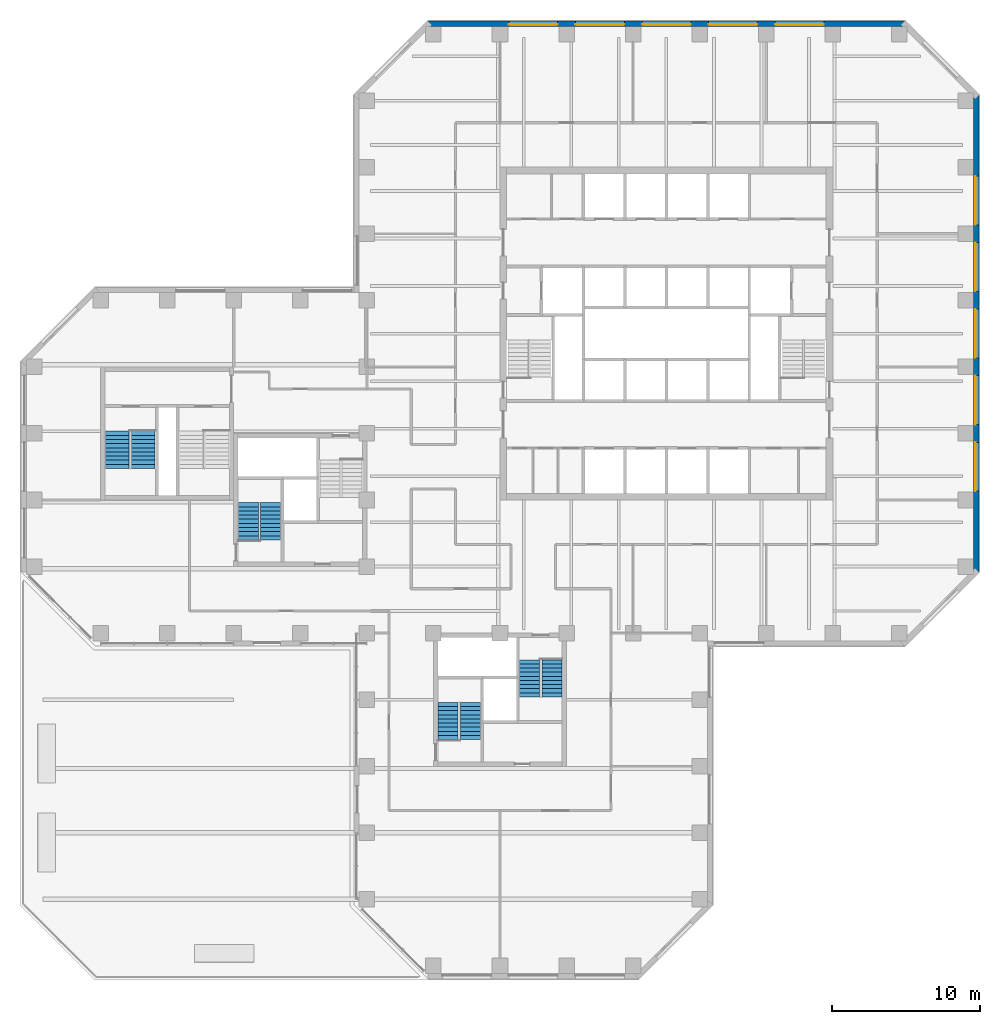
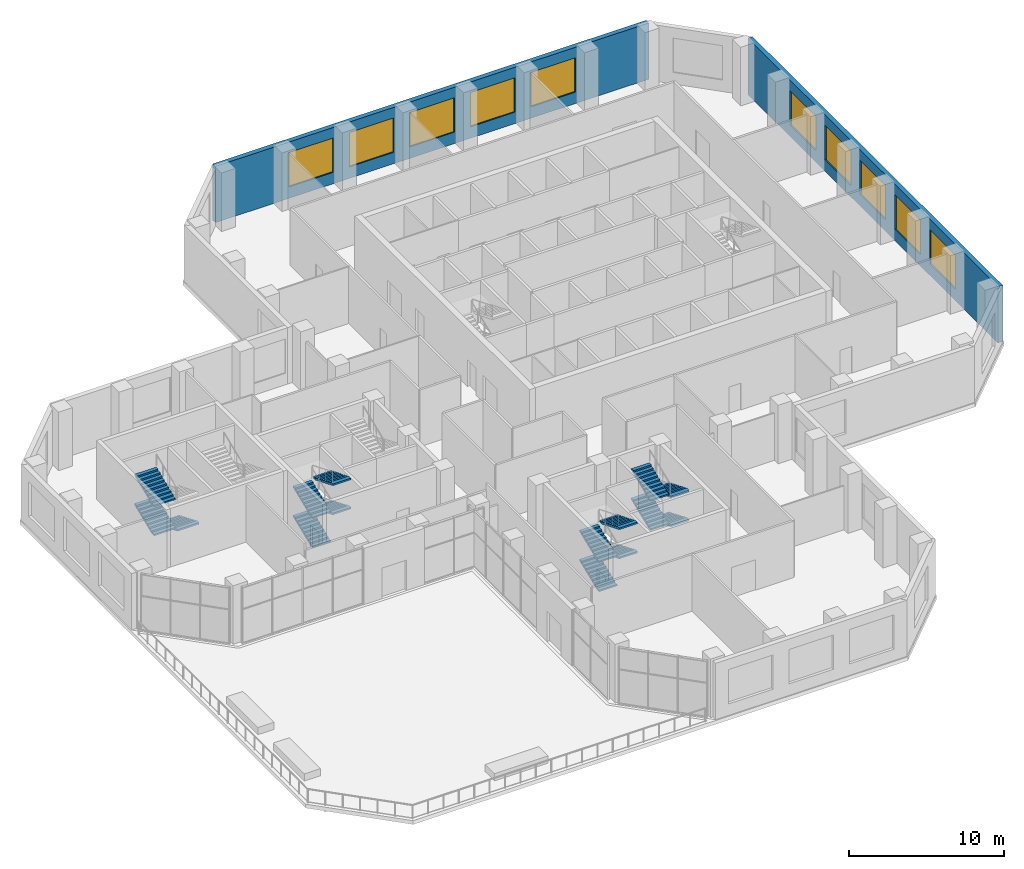
# One storey, part 11 of 14: 15 stair flights, 10 windows, 2 walls, 10 openings, 4 elements without a shape of their own.
"""IFC4 building model written with IfcOpenShell, lengths in metres."""

import ifcopenshell
import ifcopenshell.guid

model = None  # the IFC model being written
_history = None  # IfcOwnerHistory: only IFC2X3 demands one
_inside = {}  # id of a spatial element -> (the spatial element, [elements in it])
_under = {}  # id of a project, library or spatial element -> (it, [spatial elements below it])
_declared = {}  # id of a project -> (the project, [libraries it declares])
_typed = {}  # id of a type object -> (the type object, [elements of that type])
_made_of = {}  # id of a material, layer set ... -> (it, [elements and type objects made of it])


def new_model(schema):
    """Start an empty IFC model of exactly this schema.

    Asked for "IFC4X3", IfcOpenShell would pick the latest addendum, in which some entities
    have other attributes; the version numbers below select the first issue.
    IFC2X3 requires an IfcOwnerHistory on every rooted entity: one is made here for all.
    """
    global model, _history
    if schema == "IFC4X3":
        model = ifcopenshell.file(schema_version=(4, 3, 0, 0))
    else:
        model = ifcopenshell.file(schema=schema)
    _inside.clear()
    _under.clear()
    _declared.clear()
    _typed.clear()
    _made_of.clear()
    _history = None
    if model.schema == "IFC2X3":
        org = make("IfcOrganization", Name="unknown")
        user = make(
            "IfcPersonAndOrganization",
            ThePerson=make("IfcPerson", FamilyName="unknown"),
            TheOrganization=org,
        )
        app = make(
            "IfcApplication",
            ApplicationDeveloper=org,
            Version="unknown",
            ApplicationFullName="unknown",
            ApplicationIdentifier="unknown",
        )
        _history = make(
            "IfcOwnerHistory",
            OwningUser=user,
            OwningApplication=app,
            ChangeAction="ADDED",
            CreationDate=0,
        )
    return model


def make(cls, **values):
    """One entity of the class cls with the attributes given. An attribute that is None is left unset."""
    return model.create_entity(
        cls, **{name: value for name, value in values.items() if value is not None}
    )


def rooted(cls, **values):
    """An entity with a GlobalId (a new one), such as an element, a storey or a relation."""
    return make(cls, GlobalId=ifcopenshell.guid.new(), OwnerHistory=_history, **values)


def si_unit(unit_type, name, prefix=None):
    """IfcSIUnit, for example si_unit("LENGTHUNIT", "METRE", prefix="MILLI")."""
    return make("IfcSIUnit", UnitType=unit_type, Prefix=prefix, Name=name)


def assignment(units):
    """IfcUnitAssignment: the units of a project."""
    return None if units is None else make("IfcUnitAssignment", Units=units)


def point(xyz):
    """IfcCartesianPoint."""
    return None if xyz is None else make("IfcCartesianPoint", Coordinates=xyz)


def direction(xyz):
    """IfcDirection."""
    return None if xyz is None else make("IfcDirection", DirectionRatios=xyz)


def frame(location, z_axis=None, x_axis=None):
    """IfcAxis2Placement3D, a coordinate frame: its origin and axes. An axis left out is left unset."""
    return make(
        "IfcAxis2Placement3D",
        Location=point(location),
        Axis=direction(z_axis),
        RefDirection=direction(x_axis),
    )


def frame_2d(location, x_axis=None):
    """IfcAxis2Placement2D, a coordinate frame in the plane: its origin and x axis."""
    return make(
        "IfcAxis2Placement2D", Location=point(location), RefDirection=direction(x_axis)
    )


def origin():
    """The frame at (0, 0, 0) with its axes left unset."""
    return frame((0.0, 0.0, 0.0))


def place(relative_to, where):
    """IfcLocalPlacement: puts the frame where relative to a parent placement (None: the world)."""
    return make(
        "IfcLocalPlacement", PlacementRelTo=relative_to, RelativePlacement=where
    )


def context(
    kind, dimensions, precision=None, world=None, true_north=None, identifier=None
):
    """IfcGeometricRepresentationContext, for example the 3D "Model" context."""
    return make(
        "IfcGeometricRepresentationContext",
        ContextIdentifier=identifier,
        ContextType=kind,
        CoordinateSpaceDimension=dimensions,
        Precision=precision,
        WorldCoordinateSystem=world,
        TrueNorth=true_north,
    )


def subcontext(parent, identifier, kind, view, scale=None):
    """IfcGeometricRepresentationSubContext, for example "Body" below "Model"."""
    return make(
        "IfcGeometricRepresentationSubContext",
        ContextIdentifier=identifier,
        ContextType=kind,
        ParentContext=parent,
        TargetScale=scale,
        TargetView=view,
    )


def project(units=None, contexts=None):
    """IfcProject with its units and contexts."""
    return rooted(
        "IfcProject",
        Name="project",
        RepresentationContexts=contexts,
        UnitsInContext=assignment(units),
    )


def spatial(cls, under=None, at=None, **own):
    """A site, building, storey or space (cls), placed at a placement, below another one or the project."""
    s = rooted(cls, ObjectPlacement=at, **own)
    if under is not None:
        _under.setdefault(under.id(), (under, []))[1].append(s)
    return s


def polyline(points):
    """IfcPolyline through the points."""
    return make("IfcPolyline", Points=[point(p) for p in points])


def profile(cls, at=None, kind="AREA", **sizes):
    """A parametric profile (cls). Its sizes go by their IFC names, for example OverallWidth=200.0."""
    return make(cls, ProfileType=kind, Position=at, **sizes)


def rectangle(**sizes):
    """IfcRectangleProfileDef."""
    return profile("IfcRectangleProfileDef", **sizes)


def outline(outer, holes=None, kind="AREA"):
    """IfcArbitraryClosedProfileDef: a profile drawn as a closed curve; with holes, ...WithVoids."""
    if holes is None:
        return make("IfcArbitraryClosedProfileDef", ProfileType=kind, OuterCurve=outer)
    return make(
        "IfcArbitraryProfileDefWithVoids",
        ProfileType=kind,
        OuterCurve=outer,
        InnerCurves=holes,
    )


def extrude(swept, where, along, depth):
    """IfcExtrudedAreaSolid: the profile swept, set in the frame where, extruded along a direction by depth."""
    return make(
        "IfcExtrudedAreaSolid",
        SweptArea=swept,
        Position=where,
        ExtrudedDirection=direction(along),
        Depth=depth,
    )


def shape(context_of_items, identifier, shape_type, items):
    """IfcShapeRepresentation: the items that make up one representation, for example the "Body"."""
    return make(
        "IfcShapeRepresentation",
        ContextOfItems=context_of_items,
        RepresentationIdentifier=identifier,
        RepresentationType=shape_type,
        Items=items,
    )


def material(Name=None, Category=None):
    """IfcMaterial."""
    return make("IfcMaterial", Name=Name, Category=Category)


def layer(
    of_material, thickness, ventilated=None, Name=None, Category=None, Priority=None
):
    """IfcMaterialLayer: one layer of a wall or slab, of a material (None: an air gap)."""
    return make(
        "IfcMaterialLayer",
        Material=of_material,
        LayerThickness=thickness,
        IsVentilated=ventilated,
        Name=Name,
        Category=Category,
        Priority=Priority,
    )


def layer_set(layers, Name=None):
    """IfcMaterialLayerSet."""
    return make("IfcMaterialLayerSet", MaterialLayers=layers, LayerSetName=Name)


def constituent(of_material, Name=None, Category=None, fraction=None):
    """IfcMaterialConstituent: one of the materials an element consists of."""
    return make(
        "IfcMaterialConstituent",
        Name=Name,
        Material=of_material,
        Fraction=fraction,
        Category=Category,
    )


def constituent_set(constituents=None, Name=None):
    """IfcMaterialConstituentSet."""
    return make(
        "IfcMaterialConstituentSet", Name=Name, MaterialConstituents=constituents
    )


def made_of(thing, what):
    """Note that an element or type object is made of a material, layer set ...; save() writes the relation."""
    if what is not None:
        _made_of.setdefault(what.id(), (what, []))[1].append(thing)
    return thing


def type_object(cls, material=None, **own):
    """A type object (cls), such as IfcWallType, which elements share."""
    return made_of(rooted(cls, **own), material)


def element(
    cls,
    number,
    at=None,
    inside=None,
    cuts=None,
    type_object=None,
    material=None,
    context=None,
    identifier="Body",
    shape_type=None,
    held_by="IfcProductDefinitionShape",
    body=None,
    shapes=None,
    **own,
):
    """One element of the class cls, such as IfcWall. Its Tag is "e" and its number.

    at: its placement. inside: the storey or other place that contains it. cuts: it is an
    opening in that element (IfcRelVoidsElement). A single representation is given by context,
    identifier, shape_type and body (its items); several are given by shapes. held_by: the class
    of the entity that holds the representations. save() writes the other relations.
    """
    e = rooted(cls, Tag="e%d" % number, ObjectPlacement=at, **own)
    if body is not None:
        shapes = [shape(context, identifier, shape_type, body)]
    if shapes is not None:
        e.Representation = make(held_by, Representations=shapes)
    if inside is not None:
        _inside.setdefault(inside.id(), (inside, []))[1].append(e)
    if cuts is not None:
        rooted(
            "IfcRelVoidsElement", RelatingBuildingElement=cuts, RelatedOpeningElement=e
        )
    if type_object is not None:
        _typed.setdefault(type_object.id(), (type_object, []))[1].append(e)
    return made_of(e, material)


def fill(opening, filler):
    """IfcRelFillsElement: the door or window that sits in an opening."""
    return rooted(
        "IfcRelFillsElement",
        RelatingOpeningElement=opening,
        RelatedBuildingElement=filler,
    )


def aggregate(whole, parts):
    """IfcRelAggregates: a whole, such as a stair, and the parts it consists of."""
    return rooted("IfcRelAggregates", RelatingObject=whole, RelatedObjects=parts)


def save(model, path):
    """Write the relations noted so far, then the file.

    IfcRelAggregates (storeys below a building ...), IfcRelContainedInSpatialStructure (elements
    in a storey), IfcRelDefinesByType, IfcRelAssociatesMaterial and IfcRelDeclares: one each for
    every whole, place, type object, material and project.
    """
    for whole, parts in _under.values():
        aggregate(whole, parts)
    for where, things in _inside.values():
        rooted(
            "IfcRelContainedInSpatialStructure",
            RelatedElements=things,
            RelatingStructure=where,
        )
    for kind, things in _typed.values():
        rooted("IfcRelDefinesByType", RelatedObjects=things, RelatingType=kind)
    for what, things in _made_of.values():
        rooted("IfcRelAssociatesMaterial", RelatedObjects=things, RelatingMaterial=what)
    for by, libraries in _declared.values():
        rooted("IfcRelDeclares", RelatingContext=by, RelatedDefinitions=libraries)
    model.write(path)


model = new_model("IFC4")

# Units and contexts
model_context = context("Model", 3, precision=1e-05, world=origin(), true_north=direction((0.0, 1.0)))
body_context = subcontext(model_context, "Body", "Model", "MODEL_VIEW")
ifc_project = project(units=[si_unit("LENGTHUNIT", "METRE"), si_unit("AREAUNIT", "SQUARE_METRE"), si_unit("VOLUMEUNIT", "CUBIC_METRE"), si_unit("PLANEANGLEUNIT", "RADIAN"), si_unit("MASSUNIT", "GRAM", prefix="KILO")], contexts=[model_context])

# Site, building, storey
site_placement = place(None, origin())
site = spatial("IfcSite", under=ifc_project, at=site_placement, CompositionType="ELEMENT")
building_placement = place(site_placement, origin())
building = spatial("IfcBuilding", under=site, at=building_placement, Name="Quoin Convention Tower", CompositionType="ELEMENT")
storey_placement = place(building_placement, frame((0.0, 0.0, 74.300048828125)))
storey = spatial("IfcBuildingStorey", under=building, at=storey_placement, Name="L19", CompositionType="ELEMENT", Elevation=74.300048828125)

# Wall, openings, windows
ifc_material_1 = material(Name="Brick masonry", Category="masonry")
ifc_layer = layer(ifc_material_1, 0.35009765625)
ifc_layer_set = layer_set([ifc_layer], Name="Brick masonry")
wall_type = type_object("IfcWallType", Name="Brick facade wall", PredefinedType="STANDARD", material=ifc_layer_set)
wall_1_placement = place(storey_placement, frame((77.199951171875, 44.6376953125, 0.0), z_axis=(0.0, 0.0, 1.0), x_axis=(0.0, 1.0, 0.0)))
wall_1 = element("IfcWall", 1, at=wall_1_placement, inside=storey, type_object=wall_type, Name="fw-L19-76500_45000", PredefinedType="STANDARD", context=body_context, shape_type="SweptSolid", body=[
    extrude(rectangle(XDim=32.224609375, YDim=0.35009765625, at=frame_2d((16.1123046875, 0.0))), origin(), (0.0, 0.0, 1.0), 4.425048828125),
])
opening_1_placement = place(wall_1_placement, frame((5.46240234375, 0.0, 0.89990234375)))
opening_1 = element("IfcOpeningElement", 2, at=opening_1_placement, cuts=wall_1, Name="Opening W-03", PredefinedType="OPENING", context=body_context, shape_type="SweptSolid", body=[
    extrude(rectangle(XDim=3.300048828125, YDim=2.699951171875, at=frame_2d((1.64990234375, 1.35009765625))), frame((0.0, 0.18505859375, 0.0), z_axis=(0.0, -1.0, 0.0), x_axis=(1.0, 0.0, 0.0)), (0.0, 0.0, 1.0), 0.3701171875),
])
opening_2_placement = place(wall_1_placement, frame((9.96240234375, 0.0, 0.89990234375)))
opening_2 = element("IfcOpeningElement", 3, at=opening_2_placement, cuts=wall_1, Name="Opening W-03", PredefinedType="OPENING", context=body_context, shape_type="SweptSolid", body=[
    extrude(rectangle(XDim=3.300048828125, YDim=2.699951171875, at=frame_2d((1.64990234375, 1.35009765625))), frame((0.0, 0.18505859375, 0.0), z_axis=(0.0, -1.0, 0.0), x_axis=(1.0, 0.0, 0.0)), (0.0, 0.0, 1.0), 0.3701171875),
])
opening_3_placement = place(wall_1_placement, frame((14.46240234375, 0.0, 0.89990234375)))
opening_3 = element("IfcOpeningElement", 4, at=opening_3_placement, cuts=wall_1, Name="Opening W-03", PredefinedType="OPENING", context=body_context, shape_type="SweptSolid", body=[
    extrude(rectangle(XDim=3.300048828125, YDim=2.699951171875, at=frame_2d((1.64990234375, 1.35009765625))), frame((0.0, 0.18505859375, 0.0), z_axis=(0.0, -1.0, 0.0), x_axis=(1.0, 0.0, 0.0)), (0.0, 0.0, 1.0), 0.3701171875),
])
opening_4_placement = place(wall_1_placement, frame((18.96240234375, 0.0, 0.89990234375)))
opening_4 = element("IfcOpeningElement", 5, at=opening_4_placement, cuts=wall_1, Name="Opening W-03", PredefinedType="OPENING", context=body_context, shape_type="SweptSolid", body=[
    extrude(rectangle(XDim=3.300048828125, YDim=2.699951171875, at=frame_2d((1.64990234375, 1.35009765625))), frame((0.0, 0.18505859375, 0.0), z_axis=(0.0, -1.0, 0.0), x_axis=(1.0, 0.0, 0.0)), (0.0, 0.0, 1.0), 0.3701171875),
])
opening_5_placement = place(wall_1_placement, frame((23.46240234375, 0.0, 0.89990234375)))
opening_5 = element("IfcOpeningElement", 6, at=opening_5_placement, cuts=wall_1, Name="Opening W-03", PredefinedType="OPENING", context=body_context, shape_type="SweptSolid", body=[
    extrude(rectangle(XDim=3.300048828125, YDim=2.699951171875, at=frame_2d((1.64990234375, 1.35009765625))), frame((0.0, 0.18505859375, 0.0), z_axis=(0.0, -1.0, 0.0), x_axis=(1.0, 0.0, 0.0)), (0.0, 0.0, 1.0), 0.3701171875),
])
ifc_material_2 = material(Name="Aluminium", Category="aluminium")
ifc_constituent_1 = constituent(ifc_material_2, Name="Frame")
ifc_material_3 = material(Name="Insulated glass", Category="glass")
ifc_constituent_2 = constituent(ifc_material_3, Name="Glazing")
ifc_constituent_set = constituent_set(constituents=[ifc_constituent_1, ifc_constituent_2], Name="Aluminium")
window_type = type_object("IfcWindowType", Name="Sky lobby window", PartitioningType="DOUBLE_PANEL_VERTICAL", PredefinedType="WINDOW", material=ifc_constituent_set)
window_1_placement = place(opening_1_placement, origin())
window_1 = element("IfcWindow", 7, at=window_1_placement, inside=storey, type_object=window_type, Name="win-L19-77200_51750", OverallHeight=2.699951171875, OverallWidth=3.300048828125, PartitioningType="SINGLE_PANEL", PredefinedType="WINDOW", context=body_context, shape_type="SweptSolid", body=[
    extrude(rectangle(XDim=3.300048828125, YDim=2.699951171875, at=frame_2d((1.64990234375, 1.35009765625))), frame((0.0, 0.0849609375, 0.0), z_axis=(0.0, -1.0, 0.0), x_axis=(1.0, 0.0, 0.0)), (0.0, 0.0, 1.0), 0.06005859375),
])
fill(opening_1, window_1)
window_2_placement = place(opening_2_placement, origin())
window_2 = element("IfcWindow", 8, at=window_2_placement, inside=storey, type_object=window_type, Name="win-L19-77200_56250", OverallHeight=2.699951171875, OverallWidth=3.300048828125, PartitioningType="SINGLE_PANEL", PredefinedType="WINDOW", context=body_context, shape_type="SweptSolid", body=[
    extrude(rectangle(XDim=3.300048828125, YDim=2.699951171875, at=frame_2d((1.64990234375, 1.35009765625))), frame((0.0, 0.0849609375, 0.0), z_axis=(0.0, -1.0, 0.0), x_axis=(1.0, 0.0, 0.0)), (0.0, 0.0, 1.0), 0.06005859375),
])
fill(opening_2, window_2)
window_3_placement = place(opening_3_placement, origin())
window_3 = element("IfcWindow", 9, at=window_3_placement, inside=storey, type_object=window_type, Name="win-L19-77200_60750", OverallHeight=2.699951171875, OverallWidth=3.300048828125, PartitioningType="SINGLE_PANEL", PredefinedType="WINDOW", context=body_context, shape_type="SweptSolid", body=[
    extrude(rectangle(XDim=3.300048828125, YDim=2.699951171875, at=frame_2d((1.64990234375, 1.35009765625))), frame((0.0, 0.0849609375, 0.0), z_axis=(0.0, -1.0, 0.0), x_axis=(1.0, 0.0, 0.0)), (0.0, 0.0, 1.0), 0.06005859375),
])
fill(opening_3, window_3)
window_4_placement = place(opening_4_placement, origin())
window_4 = element("IfcWindow", 10, at=window_4_placement, inside=storey, type_object=window_type, Name="win-L19-77200_65250", OverallHeight=2.699951171875, OverallWidth=3.300048828125, PartitioningType="SINGLE_PANEL", PredefinedType="WINDOW", context=body_context, shape_type="SweptSolid", body=[
    extrude(rectangle(XDim=3.300048828125, YDim=2.699951171875, at=frame_2d((1.64990234375, 1.35009765625))), frame((0.0, 0.0849609375, 0.0), z_axis=(0.0, -1.0, 0.0), x_axis=(1.0, 0.0, 0.0)), (0.0, 0.0, 1.0), 0.06005859375),
])
fill(opening_4, window_4)
window_5_placement = place(opening_5_placement, origin())
window_5 = element("IfcWindow", 11, at=window_5_placement, inside=storey, type_object=window_type, Name="win-L19-77200_69750", OverallHeight=2.699951171875, OverallWidth=3.300048828125, PartitioningType="SINGLE_PANEL", PredefinedType="WINDOW", context=body_context, shape_type="SweptSolid", body=[
    extrude(rectangle(XDim=3.300048828125, YDim=2.699951171875, at=frame_2d((1.64990234375, 1.35009765625))), frame((0.0, 0.0849609375, 0.0), z_axis=(0.0, -1.0, 0.0), x_axis=(1.0, 0.0, 0.0)), (0.0, 0.0, 1.0), 0.06005859375),
])
fill(opening_5, window_5)

wall_2_placement = place(storey_placement, frame((72.3623046875, 81.699951171875, 0.0), z_axis=(0.0, 0.0, 1.0), x_axis=(-1.0, 0.0, 0.0)))
wall_2 = element("IfcWall", 12, at=wall_2_placement, inside=storey, type_object=wall_type, Name="fw-L19-72000_81000", PredefinedType="STANDARD", context=body_context, shape_type="SweptSolid", body=[
    extrude(rectangle(XDim=32.224609375, YDim=0.35009765625, at=frame_2d((16.1123046875, 0.0))), origin(), (0.0, 0.0, 1.0), 4.425048828125),
])
opening_6_placement = place(wall_2_placement, frame((5.46240234375, 0.0, 0.89990234375)))
opening_6 = element("IfcOpeningElement", 13, at=opening_6_placement, cuts=wall_2, Name="Opening W-03", PredefinedType="OPENING", context=body_context, shape_type="SweptSolid", body=[
    extrude(rectangle(XDim=3.300048828125, YDim=2.699951171875, at=frame_2d((1.64990234375, 1.35009765625))), frame((0.0, 0.18505859375, 0.0), z_axis=(0.0, -1.0, 0.0), x_axis=(1.0, 0.0, 0.0)), (0.0, 0.0, 1.0), 0.3701171875),
])
opening_7_placement = place(wall_2_placement, frame((9.96240234375, 0.0, 0.89990234375)))
opening_7 = element("IfcOpeningElement", 14, at=opening_7_placement, cuts=wall_2, Name="Opening W-03", PredefinedType="OPENING", context=body_context, shape_type="SweptSolid", body=[
    extrude(rectangle(XDim=3.300048828125, YDim=2.699951171875, at=frame_2d((1.64990234375, 1.35009765625))), frame((0.0, 0.18505859375, 0.0), z_axis=(0.0, -1.0, 0.0), x_axis=(1.0, 0.0, 0.0)), (0.0, 0.0, 1.0), 0.3701171875),
])
opening_8_placement = place(wall_2_placement, frame((14.46240234375, 0.0, 0.89990234375)))
opening_8 = element("IfcOpeningElement", 15, at=opening_8_placement, cuts=wall_2, Name="Opening W-03", PredefinedType="OPENING", context=body_context, shape_type="SweptSolid", body=[
    extrude(rectangle(XDim=3.300048828125, YDim=2.699951171875, at=frame_2d((1.64990234375, 1.35009765625))), frame((0.0, 0.18505859375, 0.0), z_axis=(0.0, -1.0, 0.0), x_axis=(1.0, 0.0, 0.0)), (0.0, 0.0, 1.0), 0.3701171875),
])
opening_9_placement = place(wall_2_placement, frame((18.96240234375, 0.0, 0.89990234375)))
opening_9 = element("IfcOpeningElement", 16, at=opening_9_placement, cuts=wall_2, Name="Opening W-03", PredefinedType="OPENING", context=body_context, shape_type="SweptSolid", body=[
    extrude(rectangle(XDim=3.300048828125, YDim=2.699951171875, at=frame_2d((1.64990234375, 1.35009765625))), frame((0.0, 0.18505859375, 0.0), z_axis=(0.0, -1.0, 0.0), x_axis=(1.0, 0.0, 0.0)), (0.0, 0.0, 1.0), 0.3701171875),
])
opening_10_placement = place(wall_2_placement, frame((23.46240234375, 0.0, 0.89990234375)))
opening_10 = element("IfcOpeningElement", 17, at=opening_10_placement, cuts=wall_2, Name="Opening W-03", PredefinedType="OPENING", context=body_context, shape_type="SweptSolid", body=[
    extrude(rectangle(XDim=3.300048828125, YDim=2.699951171875, at=frame_2d((1.64990234375, 1.35009765625))), frame((0.0, 0.18505859375, 0.0), z_axis=(0.0, -1.0, 0.0), x_axis=(1.0, 0.0, 0.0)), (0.0, 0.0, 1.0), 0.3701171875),
])
window_6_placement = place(opening_6_placement, origin())
window_6 = element("IfcWindow", 18, at=window_6_placement, inside=storey, type_object=window_type, Name="win-L19-65250_81700", OverallHeight=2.699951171875, OverallWidth=3.300048828125, PartitioningType="SINGLE_PANEL", PredefinedType="WINDOW", context=body_context, shape_type="SweptSolid", body=[
    extrude(rectangle(XDim=3.300048828125, YDim=2.699951171875, at=frame_2d((1.64990234375, 1.35009765625))), frame((0.0, 0.0849609375, 0.0), z_axis=(0.0, -1.0, 0.0), x_axis=(1.0, 0.0, 0.0)), (0.0, 0.0, 1.0), 0.06005859375),
])
fill(opening_6, window_6)
window_7_placement = place(opening_7_placement, origin())
window_7 = element("IfcWindow", 19, at=window_7_placement, inside=storey, type_object=window_type, Name="win-L19-60750_81700", OverallHeight=2.699951171875, OverallWidth=3.300048828125, PartitioningType="SINGLE_PANEL", PredefinedType="WINDOW", context=body_context, shape_type="SweptSolid", body=[
    extrude(rectangle(XDim=3.300048828125, YDim=2.699951171875, at=frame_2d((1.64990234375, 1.35009765625))), frame((0.0, 0.0849609375, 0.0), z_axis=(0.0, -1.0, 0.0), x_axis=(1.0, 0.0, 0.0)), (0.0, 0.0, 1.0), 0.06005859375),
])
fill(opening_7, window_7)
window_8_placement = place(opening_8_placement, origin())
window_8 = element("IfcWindow", 20, at=window_8_placement, inside=storey, type_object=window_type, Name="win-L19-56250_81700", OverallHeight=2.699951171875, OverallWidth=3.300048828125, PartitioningType="SINGLE_PANEL", PredefinedType="WINDOW", context=body_context, shape_type="SweptSolid", body=[
    extrude(rectangle(XDim=3.300048828125, YDim=2.699951171875, at=frame_2d((1.64990234375, 1.35009765625))), frame((0.0, 0.0849609375, 0.0), z_axis=(0.0, -1.0, 0.0), x_axis=(1.0, 0.0, 0.0)), (0.0, 0.0, 1.0), 0.06005859375),
])
fill(opening_8, window_8)
window_9_placement = place(opening_9_placement, origin())
window_9 = element("IfcWindow", 21, at=window_9_placement, inside=storey, type_object=window_type, Name="win-L19-51750_81700", OverallHeight=2.699951171875, OverallWidth=3.300048828125, PartitioningType="SINGLE_PANEL", PredefinedType="WINDOW", context=body_context, shape_type="SweptSolid", body=[
    extrude(rectangle(XDim=3.300048828125, YDim=2.699951171875, at=frame_2d((1.64990234375, 1.35009765625))), frame((0.0, 0.0849609375, 0.0), z_axis=(0.0, -1.0, 0.0), x_axis=(1.0, 0.0, 0.0)), (0.0, 0.0, 1.0), 0.06005859375),
])
fill(opening_9, window_9)
window_10_placement = place(opening_10_placement, origin())
window_10 = element("IfcWindow", 22, at=window_10_placement, inside=storey, type_object=window_type, Name="win-L19-47250_81700", OverallHeight=2.699951171875, OverallWidth=3.300048828125, PartitioningType="SINGLE_PANEL", PredefinedType="WINDOW", context=body_context, shape_type="SweptSolid", body=[
    extrude(rectangle(XDim=3.300048828125, YDim=2.699951171875, at=frame_2d((1.64990234375, 1.35009765625))), frame((0.0, 0.0849609375, 0.0), z_axis=(0.0, -1.0, 0.0), x_axis=(1.0, 0.0, 0.0)), (0.0, 0.0, 1.0), 0.06005859375),
])
fill(opening_10, window_10)

# Stair, stair flights
ifc_material_4 = material(Name="Concrete C40", Category="concrete")
stair_type_1 = type_object("IfcStairType", Name="Exit stair four-flight 1350", PredefinedType="DOUBLE_RETURN_STAIR", material=ifc_material_4)
stair_1_placement = place(storey_placement, origin())
stair_1 = element("IfcStair", 23, at=stair_1_placement, inside=storey, type_object=stair_type_1, Name="SD3 L19", PredefinedType="DOUBLE_RETURN_STAIR")
stair_flight_type_1 = type_object("IfcStairFlightType", Name="Stair flight 1350", PredefinedType="STRAIGHT", material=ifc_material_4)
stair_flight_1_placement = place(storey_placement, frame((28.0, 46.800048828125, 0.0), z_axis=(0.0, 0.0, 1.0), x_axis=(0.0, 1.0, 0.0)))
stair_flight_1 = element("IfcStairFlight", 24, at=stair_flight_1_placement, type_object=stair_flight_type_1, Name="ST3 flight 1", NumberOfRisers=10, NumberOfTreads=9, PredefinedType="STRAIGHT", RiserHeight=0.115, TreadLength=0.28, context=body_context, shape_type="SweptSolid", body=[
    extrude(outline(polyline([(0.0, 0.0), (0.0, 0.114990234375), (0.280029296875, 0.114990234375), (0.280029296875, 0.22998046875), (0.56005859375, 0.22998046875), (0.56005859375, 0.344970703125), (0.840087890625, 0.344970703125), (0.840087890625, 0.4599609375), (1.1201171875, 0.4599609375), (1.1201171875, 0.574951171875), (1.39990234375, 0.574951171875), (1.39990234375, 0.68994140625), (1.679931640625, 0.68994140625), (1.679931640625, 0.804931640625), (1.9599609375, 0.804931640625), (1.9599609375, 0.919921875), (2.239990234375, 0.919921875), (2.239990234375, 1.034912109375), (2.52001953125, 1.034912109375), (2.52001953125, 1.14990234375), (2.52001953125, 0.905029296875), (0.316162109375, 0.0), (0.0, 0.0)])), frame((0.0, 0.675048828125, 0.0), z_axis=(0.0, -1.0, 0.0), x_axis=(1.0, 0.0, 0.0)), (0.0, 0.0, 1.0), 1.35009765625),
])
stair_flight_2_placement = place(storey_placement, frame((29.5, 49.320068359375, 1.14990234375), z_axis=(0.0, 0.0, 1.0), x_axis=(0.0, -1.0, 0.0)))
stair_flight_2 = element("IfcStairFlight", 25, at=stair_flight_2_placement, type_object=stair_flight_type_1, Name="ST3 flight 2", NumberOfRisers=10, NumberOfTreads=9, PredefinedType="STRAIGHT", RiserHeight=0.115, TreadLength=0.28, context=body_context, shape_type="SweptSolid", body=[
    extrude(outline(polyline([(0.0, 0.0), (0.0, 0.114990234375), (0.280029296875, 0.114990234375), (0.280029296875, 0.22998046875), (0.56005859375, 0.22998046875), (0.56005859375, 0.344970703125), (0.840087890625, 0.344970703125), (0.840087890625, 0.4599609375), (1.1201171875, 0.4599609375), (1.1201171875, 0.574951171875), (1.39990234375, 0.574951171875), (1.39990234375, 0.68994140625), (1.679931640625, 0.68994140625), (1.679931640625, 0.804931640625), (1.9599609375, 0.804931640625), (1.9599609375, 0.919921875), (2.239990234375, 0.919921875), (2.239990234375, 1.034912109375), (2.52001953125, 1.034912109375), (2.52001953125, 1.14990234375), (2.52001953125, 0.905029296875), (0.316162109375, 0.0), (0.0, 0.0)])), frame((0.0, 0.675048828125, 0.0), z_axis=(0.0, -1.0, 0.0), x_axis=(1.0, 0.0, 0.0)), (0.0, 0.0, 1.0), 1.35009765625),
])
stair_flight_3_placement = place(storey_placement, frame((28.0, 46.800048828125, 2.300048828125), z_axis=(0.0, 0.0, 1.0), x_axis=(0.0, 1.0, 0.0)))
stair_flight_3 = element("IfcStairFlight", 26, at=stair_flight_3_placement, type_object=stair_flight_type_1, Name="ST3 flight 3", NumberOfRisers=10, NumberOfTreads=9, PredefinedType="STRAIGHT", RiserHeight=0.115, TreadLength=0.28, context=body_context, shape_type="SweptSolid", body=[
    extrude(outline(polyline([(0.0, 0.0), (0.0, 0.114990234375), (0.280029296875, 0.114990234375), (0.280029296875, 0.22998046875), (0.56005859375, 0.22998046875), (0.56005859375, 0.344970703125), (0.840087890625, 0.344970703125), (0.840087890625, 0.4599609375), (1.1201171875, 0.4599609375), (1.1201171875, 0.574951171875), (1.39990234375, 0.574951171875), (1.39990234375, 0.68994140625), (1.679931640625, 0.68994140625), (1.679931640625, 0.804931640625), (1.9599609375, 0.804931640625), (1.9599609375, 0.919921875), (2.239990234375, 0.919921875), (2.239990234375, 1.034912109375), (2.52001953125, 1.034912109375), (2.52001953125, 1.14990234375), (2.52001953125, 0.905029296875), (0.316162109375, 0.0), (0.0, 0.0)])), frame((0.0, 0.675048828125, 0.0), z_axis=(0.0, -1.0, 0.0), x_axis=(1.0, 0.0, 0.0)), (0.0, 0.0, 1.0), 1.35009765625),
])
stair_flight_4_placement = place(storey_placement, frame((29.5, 49.320068359375, 3.449951171875), z_axis=(0.0, 0.0, 1.0), x_axis=(0.0, -1.0, 0.0)))
stair_flight_4 = element("IfcStairFlight", 27, at=stair_flight_4_placement, type_object=stair_flight_type_1, Name="ST3 flight 4", NumberOfRisers=10, NumberOfTreads=9, PredefinedType="STRAIGHT", RiserHeight=0.115, TreadLength=0.28, context=body_context, shape_type="SweptSolid", body=[
    extrude(outline(polyline([(0.0, 0.0), (0.0, 0.114990234375), (0.280029296875, 0.114990234375), (0.280029296875, 0.22998046875), (0.56005859375, 0.22998046875), (0.56005859375, 0.344970703125), (0.840087890625, 0.344970703125), (0.840087890625, 0.4599609375), (1.1201171875, 0.4599609375), (1.1201171875, 0.574951171875), (1.39990234375, 0.574951171875), (1.39990234375, 0.68994140625), (1.679931640625, 0.68994140625), (1.679931640625, 0.804931640625), (1.9599609375, 0.804931640625), (1.9599609375, 0.919921875), (2.239990234375, 0.919921875), (2.239990234375, 1.034912109375), (2.52001953125, 1.034912109375), (2.52001953125, 1.14990234375), (2.52001953125, 0.905029296875), (0.316162109375, 0.0), (0.0, 0.0)])), frame((0.0, 0.675048828125, 0.0), z_axis=(0.0, -1.0, 0.0), x_axis=(1.0, 0.0, 0.0)), (0.0, 0.0, 1.0), 1.35009765625),
])
aggregate(stair_1, [stair_flight_1, stair_flight_2, stair_flight_3, stair_flight_4])

stair_2_placement = place(storey_placement, origin())
stair_2 = element("IfcStair", 28, at=stair_2_placement, inside=storey, type_object=stair_type_1, Name="SD5 L19", PredefinedType="DOUBLE_RETURN_STAIR")
stair_flight_5_placement = place(storey_placement, frame((41.5, 33.300048828125, 0.0), z_axis=(0.0, 0.0, 1.0), x_axis=(0.0, 1.0, 0.0)))
stair_flight_5 = element("IfcStairFlight", 29, at=stair_flight_5_placement, type_object=stair_flight_type_1, Name="ST5 flight 1", NumberOfRisers=10, NumberOfTreads=9, PredefinedType="STRAIGHT", RiserHeight=0.115, TreadLength=0.28, context=body_context, shape_type="SweptSolid", body=[
    extrude(outline(polyline([(0.0, 0.0), (0.0, 0.114990234375), (0.280029296875, 0.114990234375), (0.280029296875, 0.22998046875), (0.56005859375, 0.22998046875), (0.56005859375, 0.344970703125), (0.840087890625, 0.344970703125), (0.840087890625, 0.4599609375), (1.1201171875, 0.4599609375), (1.1201171875, 0.574951171875), (1.39990234375, 0.574951171875), (1.39990234375, 0.68994140625), (1.679931640625, 0.68994140625), (1.679931640625, 0.804931640625), (1.9599609375, 0.804931640625), (1.9599609375, 0.919921875), (2.239990234375, 0.919921875), (2.239990234375, 1.034912109375), (2.52001953125, 1.034912109375), (2.52001953125, 1.14990234375), (2.52001953125, 0.905029296875), (0.316162109375, 0.0), (0.0, 0.0)])), frame((0.0, 0.675048828125, 0.0), z_axis=(0.0, -1.0, 0.0), x_axis=(1.0, 0.0, 0.0)), (0.0, 0.0, 1.0), 1.35009765625),
])
stair_flight_6_placement = place(storey_placement, frame((43.0, 35.820068359375, 1.14990234375), z_axis=(0.0, 0.0, 1.0), x_axis=(0.0, -1.0, 0.0)))
stair_flight_6 = element("IfcStairFlight", 30, at=stair_flight_6_placement, type_object=stair_flight_type_1, Name="ST5 flight 2", NumberOfRisers=10, NumberOfTreads=9, PredefinedType="STRAIGHT", RiserHeight=0.115, TreadLength=0.28, context=body_context, shape_type="SweptSolid", body=[
    extrude(outline(polyline([(0.0, 0.0), (0.0, 0.114990234375), (0.280029296875, 0.114990234375), (0.280029296875, 0.22998046875), (0.56005859375, 0.22998046875), (0.56005859375, 0.344970703125), (0.840087890625, 0.344970703125), (0.840087890625, 0.4599609375), (1.1201171875, 0.4599609375), (1.1201171875, 0.574951171875), (1.39990234375, 0.574951171875), (1.39990234375, 0.68994140625), (1.679931640625, 0.68994140625), (1.679931640625, 0.804931640625), (1.9599609375, 0.804931640625), (1.9599609375, 0.919921875), (2.239990234375, 0.919921875), (2.239990234375, 1.034912109375), (2.52001953125, 1.034912109375), (2.52001953125, 1.14990234375), (2.52001953125, 0.905029296875), (0.316162109375, 0.0), (0.0, 0.0)])), frame((0.0, 0.675048828125, 0.0), z_axis=(0.0, -1.0, 0.0), x_axis=(1.0, 0.0, 0.0)), (0.0, 0.0, 1.0), 1.35009765625),
])
stair_flight_7_placement = place(storey_placement, frame((41.5, 33.300048828125, 2.300048828125), z_axis=(0.0, 0.0, 1.0), x_axis=(0.0, 1.0, 0.0)))
stair_flight_7 = element("IfcStairFlight", 31, at=stair_flight_7_placement, type_object=stair_flight_type_1, Name="ST5 flight 3", NumberOfRisers=10, NumberOfTreads=9, PredefinedType="STRAIGHT", RiserHeight=0.115, TreadLength=0.28, context=body_context, shape_type="SweptSolid", body=[
    extrude(outline(polyline([(0.0, 0.0), (0.0, 0.114990234375), (0.280029296875, 0.114990234375), (0.280029296875, 0.22998046875), (0.56005859375, 0.22998046875), (0.56005859375, 0.344970703125), (0.840087890625, 0.344970703125), (0.840087890625, 0.4599609375), (1.1201171875, 0.4599609375), (1.1201171875, 0.574951171875), (1.39990234375, 0.574951171875), (1.39990234375, 0.68994140625), (1.679931640625, 0.68994140625), (1.679931640625, 0.804931640625), (1.9599609375, 0.804931640625), (1.9599609375, 0.919921875), (2.239990234375, 0.919921875), (2.239990234375, 1.034912109375), (2.52001953125, 1.034912109375), (2.52001953125, 1.14990234375), (2.52001953125, 0.905029296875), (0.316162109375, 0.0), (0.0, 0.0)])), frame((0.0, 0.675048828125, 0.0), z_axis=(0.0, -1.0, 0.0), x_axis=(1.0, 0.0, 0.0)), (0.0, 0.0, 1.0), 1.35009765625),
])
stair_flight_8_placement = place(storey_placement, frame((43.0, 35.820068359375, 3.449951171875), z_axis=(0.0, 0.0, 1.0), x_axis=(0.0, -1.0, 0.0)))
stair_flight_8 = element("IfcStairFlight", 32, at=stair_flight_8_placement, type_object=stair_flight_type_1, Name="ST5 flight 4", NumberOfRisers=10, NumberOfTreads=9, PredefinedType="STRAIGHT", RiserHeight=0.115, TreadLength=0.28, context=body_context, shape_type="SweptSolid", body=[
    extrude(outline(polyline([(0.0, 0.0), (0.0, 0.114990234375), (0.280029296875, 0.114990234375), (0.280029296875, 0.22998046875), (0.56005859375, 0.22998046875), (0.56005859375, 0.344970703125), (0.840087890625, 0.344970703125), (0.840087890625, 0.4599609375), (1.1201171875, 0.4599609375), (1.1201171875, 0.574951171875), (1.39990234375, 0.574951171875), (1.39990234375, 0.68994140625), (1.679931640625, 0.68994140625), (1.679931640625, 0.804931640625), (1.9599609375, 0.804931640625), (1.9599609375, 0.919921875), (2.239990234375, 0.919921875), (2.239990234375, 1.034912109375), (2.52001953125, 1.034912109375), (2.52001953125, 1.14990234375), (2.52001953125, 0.905029296875), (0.316162109375, 0.0), (0.0, 0.0)])), frame((0.0, 0.675048828125, 0.0), z_axis=(0.0, -1.0, 0.0), x_axis=(1.0, 0.0, 0.0)), (0.0, 0.0, 1.0), 1.35009765625),
])
aggregate(stair_2, [stair_flight_5, stair_flight_6, stair_flight_7, stair_flight_8])

stair_3_placement = place(storey_placement, origin())
stair_3 = element("IfcStair", 33, at=stair_3_placement, inside=storey, type_object=stair_type_1, Name="SD6 L19", PredefinedType="DOUBLE_RETURN_STAIR")
stair_flight_9_placement = place(storey_placement, frame((48.5, 38.699951171875, 0.0), z_axis=(0.0, 0.0, 1.0), x_axis=(0.0, -1.0, 0.0)))
stair_flight_9 = element("IfcStairFlight", 34, at=stair_flight_9_placement, type_object=stair_flight_type_1, Name="ST6 flight 1", NumberOfRisers=10, NumberOfTreads=9, PredefinedType="STRAIGHT", RiserHeight=0.115, TreadLength=0.28, context=body_context, shape_type="SweptSolid", body=[
    extrude(outline(polyline([(0.0, 0.0), (0.0, 0.114990234375), (0.280029296875, 0.114990234375), (0.280029296875, 0.22998046875), (0.56005859375, 0.22998046875), (0.56005859375, 0.344970703125), (0.840087890625, 0.344970703125), (0.840087890625, 0.4599609375), (1.1201171875, 0.4599609375), (1.1201171875, 0.574951171875), (1.39990234375, 0.574951171875), (1.39990234375, 0.68994140625), (1.679931640625, 0.68994140625), (1.679931640625, 0.804931640625), (1.9599609375, 0.804931640625), (1.9599609375, 0.919921875), (2.239990234375, 0.919921875), (2.239990234375, 1.034912109375), (2.52001953125, 1.034912109375), (2.52001953125, 1.14990234375), (2.52001953125, 0.905029296875), (0.316162109375, 0.0), (0.0, 0.0)])), frame((0.0, 0.675048828125, 0.0), z_axis=(0.0, -1.0, 0.0), x_axis=(1.0, 0.0, 0.0)), (0.0, 0.0, 1.0), 1.35009765625),
])
stair_flight_10_placement = place(storey_placement, frame((47.0, 36.179931640625, 1.14990234375), z_axis=(0.0, 0.0, 1.0), x_axis=(0.0, 1.0, 0.0)))
stair_flight_10 = element("IfcStairFlight", 35, at=stair_flight_10_placement, type_object=stair_flight_type_1, Name="ST6 flight 2", NumberOfRisers=10, NumberOfTreads=9, PredefinedType="STRAIGHT", RiserHeight=0.115, TreadLength=0.28, context=body_context, shape_type="SweptSolid", body=[
    extrude(outline(polyline([(0.0, 0.0), (0.0, 0.114990234375), (0.280029296875, 0.114990234375), (0.280029296875, 0.22998046875), (0.56005859375, 0.22998046875), (0.56005859375, 0.344970703125), (0.840087890625, 0.344970703125), (0.840087890625, 0.4599609375), (1.1201171875, 0.4599609375), (1.1201171875, 0.574951171875), (1.39990234375, 0.574951171875), (1.39990234375, 0.68994140625), (1.679931640625, 0.68994140625), (1.679931640625, 0.804931640625), (1.9599609375, 0.804931640625), (1.9599609375, 0.919921875), (2.239990234375, 0.919921875), (2.239990234375, 1.034912109375), (2.52001953125, 1.034912109375), (2.52001953125, 1.14990234375), (2.52001953125, 0.905029296875), (0.316162109375, 0.0), (0.0, 0.0)])), frame((0.0, 0.675048828125, 0.0), z_axis=(0.0, -1.0, 0.0), x_axis=(1.0, 0.0, 0.0)), (0.0, 0.0, 1.0), 1.35009765625),
])
stair_flight_11_placement = place(storey_placement, frame((48.5, 38.699951171875, 2.300048828125), z_axis=(0.0, 0.0, 1.0), x_axis=(0.0, -1.0, 0.0)))
stair_flight_11 = element("IfcStairFlight", 36, at=stair_flight_11_placement, type_object=stair_flight_type_1, Name="ST6 flight 3", NumberOfRisers=10, NumberOfTreads=9, PredefinedType="STRAIGHT", RiserHeight=0.115, TreadLength=0.28, context=body_context, shape_type="SweptSolid", body=[
    extrude(outline(polyline([(0.0, 0.0), (0.0, 0.114990234375), (0.280029296875, 0.114990234375), (0.280029296875, 0.22998046875), (0.56005859375, 0.22998046875), (0.56005859375, 0.344970703125), (0.840087890625, 0.344970703125), (0.840087890625, 0.4599609375), (1.1201171875, 0.4599609375), (1.1201171875, 0.574951171875), (1.39990234375, 0.574951171875), (1.39990234375, 0.68994140625), (1.679931640625, 0.68994140625), (1.679931640625, 0.804931640625), (1.9599609375, 0.804931640625), (1.9599609375, 0.919921875), (2.239990234375, 0.919921875), (2.239990234375, 1.034912109375), (2.52001953125, 1.034912109375), (2.52001953125, 1.14990234375), (2.52001953125, 0.905029296875), (0.316162109375, 0.0), (0.0, 0.0)])), frame((0.0, 0.675048828125, 0.0), z_axis=(0.0, -1.0, 0.0), x_axis=(1.0, 0.0, 0.0)), (0.0, 0.0, 1.0), 1.35009765625),
])
stair_flight_12_placement = place(storey_placement, frame((47.0, 36.179931640625, 3.449951171875), z_axis=(0.0, 0.0, 1.0), x_axis=(0.0, 1.0, 0.0)))
stair_flight_12 = element("IfcStairFlight", 37, at=stair_flight_12_placement, type_object=stair_flight_type_1, Name="ST6 flight 4", NumberOfRisers=10, NumberOfTreads=9, PredefinedType="STRAIGHT", RiserHeight=0.115, TreadLength=0.28, context=body_context, shape_type="SweptSolid", body=[
    extrude(outline(polyline([(0.0, 0.0), (0.0, 0.114990234375), (0.280029296875, 0.114990234375), (0.280029296875, 0.22998046875), (0.56005859375, 0.22998046875), (0.56005859375, 0.344970703125), (0.840087890625, 0.344970703125), (0.840087890625, 0.4599609375), (1.1201171875, 0.4599609375), (1.1201171875, 0.574951171875), (1.39990234375, 0.574951171875), (1.39990234375, 0.68994140625), (1.679931640625, 0.68994140625), (1.679931640625, 0.804931640625), (1.9599609375, 0.804931640625), (1.9599609375, 0.919921875), (2.239990234375, 0.919921875), (2.239990234375, 1.034912109375), (2.52001953125, 1.034912109375), (2.52001953125, 1.14990234375), (2.52001953125, 0.905029296875), (0.316162109375, 0.0), (0.0, 0.0)])), frame((0.0, 0.675048828125, 0.0), z_axis=(0.0, -1.0, 0.0), x_axis=(1.0, 0.0, 0.0)), (0.0, 0.0, 1.0), 1.35009765625),
])
aggregate(stair_3, [stair_flight_9, stair_flight_10, stair_flight_11, stair_flight_12])

stair_type_2 = type_object("IfcStairType", Name="Exit stair four-flight 1600", PredefinedType="DOUBLE_RETURN_STAIR", material=ifc_material_4)
stair_4_placement = place(storey_placement, origin())
stair_4 = element("IfcStair", 38, at=stair_4_placement, inside=storey, type_object=stair_type_2, Name="SD11 L19", PredefinedType="DOUBLE_RETURN_STAIR")
stair_flight_type_2 = type_object("IfcStairFlightType", Name="Stair flight 1600", PredefinedType="STRAIGHT", material=ifc_material_4)
stair_flight_13_placement = place(storey_placement, frame((20.875, 54.14990234375, 0.0), z_axis=(0.0, 0.0, 1.0), x_axis=(0.0, -1.0, 0.0)))
stair_flight_13 = element("IfcStairFlight", 39, at=stair_flight_13_placement, type_object=stair_flight_type_2, Name="ST11 flight 1", NumberOfRisers=10, NumberOfTreads=9, PredefinedType="STRAIGHT", RiserHeight=0.115, TreadLength=0.28, context=body_context, shape_type="SweptSolid", body=[
    extrude(outline(polyline([(0.0, 0.0), (0.0, 0.114990234375), (0.280029296875, 0.114990234375), (0.280029296875, 0.22998046875), (0.56005859375, 0.22998046875), (0.56005859375, 0.344970703125), (0.840087890625, 0.344970703125), (0.840087890625, 0.4599609375), (1.1201171875, 0.4599609375), (1.1201171875, 0.574951171875), (1.39990234375, 0.574951171875), (1.39990234375, 0.68994140625), (1.679931640625, 0.68994140625), (1.679931640625, 0.804931640625), (1.9599609375, 0.804931640625), (1.9599609375, 0.919921875), (2.239990234375, 0.919921875), (2.239990234375, 1.034912109375), (2.52001953125, 1.034912109375), (2.52001953125, 1.14990234375), (2.52001953125, 0.905029296875), (0.316162109375, 0.0), (0.0, 0.0)])), frame((0.0, 0.800048828125, 0.0), z_axis=(0.0, -1.0, 0.0), x_axis=(1.0, 0.0, 0.0)), (0.0, 0.0, 1.0), 1.60009765625),
])
stair_flight_14_placement = place(storey_placement, frame((19.125, 51.6298828125, 1.14990234375), z_axis=(0.0, 0.0, 1.0), x_axis=(0.0, 1.0, 0.0)))
stair_flight_14 = element("IfcStairFlight", 40, at=stair_flight_14_placement, type_object=stair_flight_type_2, Name="ST11 flight 2", NumberOfRisers=10, NumberOfTreads=9, PredefinedType="STRAIGHT", RiserHeight=0.115, TreadLength=0.28, context=body_context, shape_type="SweptSolid", body=[
    extrude(outline(polyline([(0.0, 0.0), (0.0, 0.114990234375), (0.280029296875, 0.114990234375), (0.280029296875, 0.22998046875), (0.56005859375, 0.22998046875), (0.56005859375, 0.344970703125), (0.840087890625, 0.344970703125), (0.840087890625, 0.4599609375), (1.1201171875, 0.4599609375), (1.1201171875, 0.574951171875), (1.39990234375, 0.574951171875), (1.39990234375, 0.68994140625), (1.679931640625, 0.68994140625), (1.679931640625, 0.804931640625), (1.9599609375, 0.804931640625), (1.9599609375, 0.919921875), (2.239990234375, 0.919921875), (2.239990234375, 1.034912109375), (2.52001953125, 1.034912109375), (2.52001953125, 1.14990234375), (2.52001953125, 0.905029296875), (0.316162109375, 0.0), (0.0, 0.0)])), frame((0.0, 0.800048828125, 0.0), z_axis=(0.0, -1.0, 0.0), x_axis=(1.0, 0.0, 0.0)), (0.0, 0.0, 1.0), 1.60009765625),
])
stair_flight_15_placement = place(storey_placement, frame((19.125, 51.6298828125, 3.449951171875), z_axis=(0.0, 0.0, 1.0), x_axis=(0.0, 1.0, 0.0)))
stair_flight_15 = element("IfcStairFlight", 41, at=stair_flight_15_placement, type_object=stair_flight_type_2, Name="ST11 flight 4", NumberOfRisers=10, NumberOfTreads=9, PredefinedType="STRAIGHT", RiserHeight=0.115, TreadLength=0.28, context=body_context, shape_type="SweptSolid", body=[
    extrude(outline(polyline([(0.0, 0.0), (0.0, 0.114990234375), (0.280029296875, 0.114990234375), (0.280029296875, 0.22998046875), (0.56005859375, 0.22998046875), (0.56005859375, 0.344970703125), (0.840087890625, 0.344970703125), (0.840087890625, 0.4599609375), (1.1201171875, 0.4599609375), (1.1201171875, 0.574951171875), (1.39990234375, 0.574951171875), (1.39990234375, 0.68994140625), (1.679931640625, 0.68994140625), (1.679931640625, 0.804931640625), (1.9599609375, 0.804931640625), (1.9599609375, 0.919921875), (2.239990234375, 0.919921875), (2.239990234375, 1.034912109375), (2.52001953125, 1.034912109375), (2.52001953125, 1.14990234375), (2.52001953125, 0.905029296875), (0.316162109375, 0.0), (0.0, 0.0)])), frame((0.0, 0.800048828125, 0.0), z_axis=(0.0, -1.0, 0.0), x_axis=(1.0, 0.0, 0.0)), (0.0, 0.0, 1.0), 1.60009765625),
])
aggregate(stair_4, [stair_flight_13, stair_flight_14, stair_flight_15])

save(model, "model.ifc")
